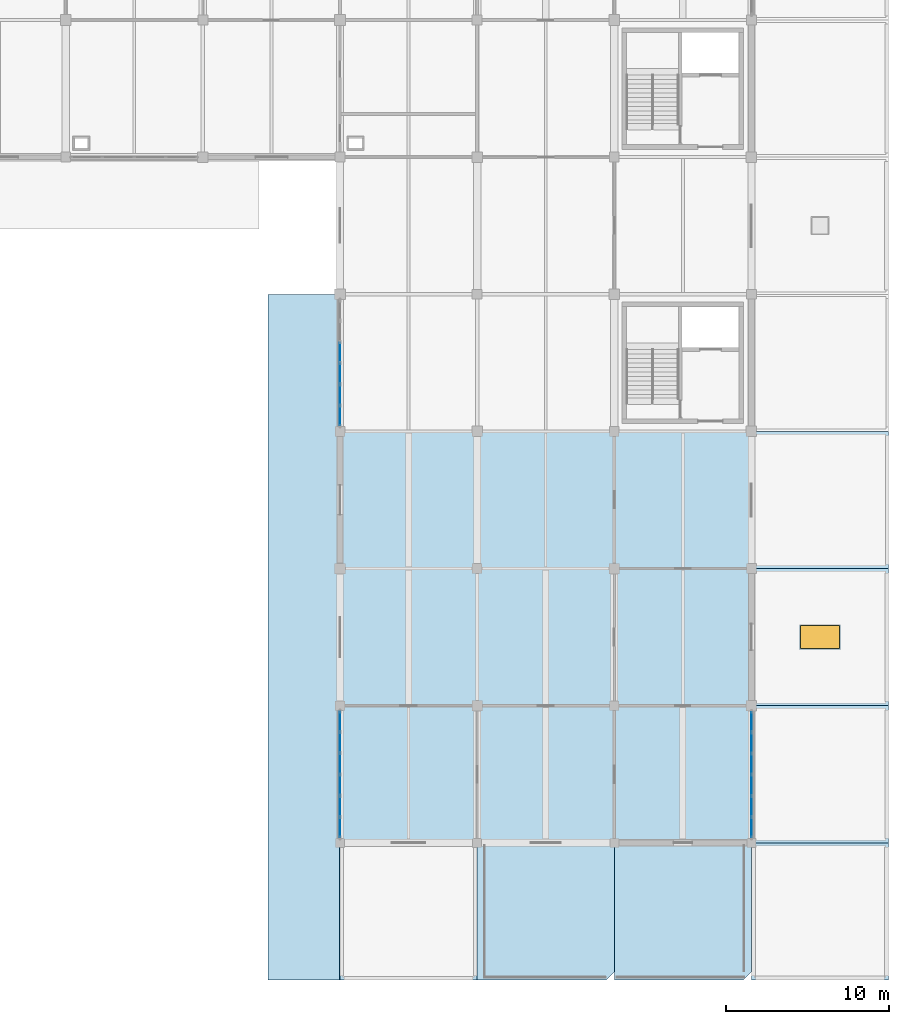
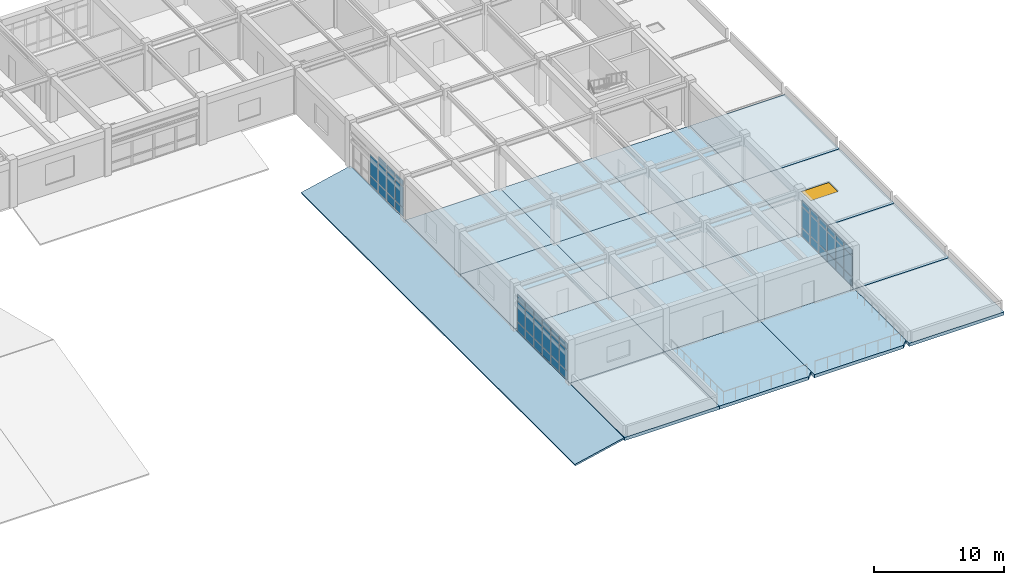
# One storey, part 54 of 78: 47 plates, 17 slabs, 1 window, 1 opening, 3 elements without a shape of their own.
"""IFC4 building model written with IfcOpenShell, lengths in metres."""

from ifc_helpers import new_model, si_unit, direction, frame, origin, origin_2d, place, context, subcontext, project, spatial, polyline, rectangle, outline, extrude, material, layer, layer_set, type_object, element, fill, aggregate, save


model = new_model("IFC4")

# Units and contexts
model_context = context("Model", 3, precision=1e-05, world=origin(), true_north=direction((0.0, 1.0)))
body_context = subcontext(model_context, "Body", "Model", "MODEL_VIEW")
ifc_project = project(units=[si_unit("LENGTHUNIT", "METRE"), si_unit("AREAUNIT", "SQUARE_METRE"), si_unit("VOLUMEUNIT", "CUBIC_METRE"), si_unit("PLANEANGLEUNIT", "RADIAN"), si_unit("MASSUNIT", "GRAM", prefix="KILO")], contexts=[model_context])

# Site, building, storey
site_placement = place(None, origin())
site = spatial("IfcSite", under=ifc_project, at=site_placement, CompositionType="ELEMENT")
building_placement = place(site_placement, origin())
building = spatial("IfcBuilding", under=site, at=building_placement, Name="Porcellanite Civic Hall", CompositionType="ELEMENT")
storey_placement = place(building_placement, frame((0.0, 0.0, 10.260009765625)))
storey = spatial("IfcBuildingStorey", under=building, at=storey_placement, Name="L02", CompositionType="ELEMENT", Elevation=10.260009765625)

# Curtain wall, plates
ifc_material_1 = material(Name="Anodised aluminium and solar laminated glass", Category="aluminium")
ifc_layer_1 = layer(ifc_material_1, 0.179931640625)
ifc_layer_set_1 = layer_set([ifc_layer_1], Name="Anodised aluminium and solar laminated glass")
curtain_wall_type = type_object("IfcCurtainWallType", Name="CW-SYS02", PredefinedType="NOTDEFINED", material=ifc_layer_set_1)
curtain_wall_1_placement = place(storey_placement, origin())
curtain_wall_1 = element("IfcCurtainWall", 1, at=curtain_wall_1_placement, inside=storey, type_object=curtain_wall_type, Name="Curtain wall CW-174", PredefinedType="NOTDEFINED")
ifc_material_2 = material(Name="Cyclone laminated solar-control low-E glass", Category="glass")
ifc_layer_2 = layer(ifc_material_2, 0.02587890625)
ifc_layer_set_2 = layer_set([ifc_layer_2], Name="Cyclone laminated solar-control low-E glass")
plate_type = type_object("IfcPlateType", Name="CWP-02", PredefinedType="CURTAIN_PANEL", material=ifc_layer_set_2)
plate_1_placement = place(storey_placement, frame((142.800048828125, 9.3466796875, 0.06494140625), z_axis=(0.0, 0.0, 1.0), x_axis=(0.0, 1.0, 0.0)))
plate_1 = element("IfcPlate", 2, at=plate_1_placement, type_object=plate_type, Name="CW-174 panel 1.1", PredefinedType="CURTAIN_PANEL", context=body_context, shape_type="SweptSolid", body=[
    extrude(rectangle(XDim=1.19140625, YDim=0.02587890625, at=origin_2d()), origin(), (0.0, 0.0, 1.0), 0.802490234375),
])
plate_2_placement = place(storey_placement, frame((142.800048828125, 9.3466796875, 0.9326171875), z_axis=(0.0, 0.0, 1.0), x_axis=(0.0, 1.0, 0.0)))
plate_2 = element("IfcPlate", 3, at=plate_2_placement, type_object=plate_type, Name="CW-174 panel 1.2", PredefinedType="CURTAIN_PANEL", context=body_context, shape_type="SweptSolid", body=[
    extrude(rectangle(XDim=1.19140625, YDim=0.02587890625, at=origin_2d()), origin(), (0.0, 0.0, 1.0), 1.925048828125),
])
plate_3_placement = place(storey_placement, frame((142.800048828125, 9.3466796875, 2.92236328125), z_axis=(0.0, 0.0, 1.0), x_axis=(0.0, 1.0, 0.0)))
plate_3 = element("IfcPlate", 4, at=plate_3_placement, type_object=plate_type, Name="CW-174 panel 1.3", PredefinedType="CURTAIN_PANEL", context=body_context, shape_type="SweptSolid", body=[
    extrude(rectangle(XDim=1.19140625, YDim=0.02587890625, at=origin_2d()), origin(), (0.0, 0.0, 1.0), 0.552490234375),
])
plate_4_placement = place(storey_placement, frame((142.800048828125, 10.6318359375, 0.06494140625), z_axis=(0.0, 0.0, 1.0), x_axis=(0.0, 1.0, 0.0)))
plate_4 = element("IfcPlate", 5, at=plate_4_placement, type_object=plate_type, Name="CW-174 panel 2.1", PredefinedType="CURTAIN_PANEL", context=body_context, shape_type="SweptSolid", body=[
    extrude(rectangle(XDim=1.228759765625, YDim=0.02587890625, at=origin_2d()), origin(), (0.0, 0.0, 1.0), 0.802490234375),
])
plate_5_placement = place(storey_placement, frame((142.800048828125, 10.6318359375, 0.9326171875), z_axis=(0.0, 0.0, 1.0), x_axis=(0.0, 1.0, 0.0)))
plate_5 = element("IfcPlate", 6, at=plate_5_placement, type_object=plate_type, Name="CW-174 panel 2.2", PredefinedType="CURTAIN_PANEL", context=body_context, shape_type="SweptSolid", body=[
    extrude(rectangle(XDim=1.228759765625, YDim=0.02587890625, at=origin_2d()), origin(), (0.0, 0.0, 1.0), 1.925048828125),
])
plate_6_placement = place(storey_placement, frame((142.800048828125, 10.6318359375, 2.92236328125), z_axis=(0.0, 0.0, 1.0), x_axis=(0.0, 1.0, 0.0)))
plate_6 = element("IfcPlate", 7, at=plate_6_placement, type_object=plate_type, Name="CW-174 panel 2.3", PredefinedType="CURTAIN_PANEL", context=body_context, shape_type="SweptSolid", body=[
    extrude(rectangle(XDim=1.228759765625, YDim=0.02587890625, at=origin_2d()), origin(), (0.0, 0.0, 1.0), 0.552490234375),
])
plate_7_placement = place(storey_placement, frame((142.800048828125, 11.935546875, 0.06494140625), z_axis=(0.0, 0.0, 1.0), x_axis=(0.0, 1.0, 0.0)))
plate_7 = element("IfcPlate", 8, at=plate_7_placement, type_object=plate_type, Name="CW-174 panel 3.1", PredefinedType="CURTAIN_PANEL", context=body_context, shape_type="SweptSolid", body=[
    extrude(rectangle(XDim=1.228759765625, YDim=0.02587890625, at=origin_2d()), origin(), (0.0, 0.0, 1.0), 0.802490234375),
])
plate_8_placement = place(storey_placement, frame((142.800048828125, 11.935546875, 0.9326171875), z_axis=(0.0, 0.0, 1.0), x_axis=(0.0, 1.0, 0.0)))
plate_8 = element("IfcPlate", 9, at=plate_8_placement, type_object=plate_type, Name="CW-174 panel 3.2", PredefinedType="CURTAIN_PANEL", context=body_context, shape_type="SweptSolid", body=[
    extrude(rectangle(XDim=1.228759765625, YDim=0.02587890625, at=origin_2d()), origin(), (0.0, 0.0, 1.0), 1.925048828125),
])
plate_9_placement = place(storey_placement, frame((142.800048828125, 11.935546875, 2.92236328125), z_axis=(0.0, 0.0, 1.0), x_axis=(0.0, 1.0, 0.0)))
plate_9 = element("IfcPlate", 10, at=plate_9_placement, type_object=plate_type, Name="CW-174 panel 3.3", PredefinedType="CURTAIN_PANEL", context=body_context, shape_type="SweptSolid", body=[
    extrude(rectangle(XDim=1.228759765625, YDim=0.02587890625, at=origin_2d()), origin(), (0.0, 0.0, 1.0), 0.552490234375),
])
plate_10_placement = place(storey_placement, frame((142.800048828125, 13.239501953125, 0.06494140625), z_axis=(0.0, 0.0, 1.0), x_axis=(0.0, 1.0, 0.0)))
plate_10 = element("IfcPlate", 11, at=plate_10_placement, type_object=plate_type, Name="CW-174 panel 4.1", PredefinedType="CURTAIN_PANEL", context=body_context, shape_type="SweptSolid", body=[
    extrude(rectangle(XDim=1.228759765625, YDim=0.02587890625, at=origin_2d()), origin(), (0.0, 0.0, 1.0), 0.802490234375),
])
plate_11_placement = place(storey_placement, frame((142.800048828125, 13.239501953125, 0.9326171875), z_axis=(0.0, 0.0, 1.0), x_axis=(0.0, 1.0, 0.0)))
plate_11 = element("IfcPlate", 12, at=plate_11_placement, type_object=plate_type, Name="CW-174 panel 4.2", PredefinedType="CURTAIN_PANEL", context=body_context, shape_type="SweptSolid", body=[
    extrude(rectangle(XDim=1.228759765625, YDim=0.02587890625, at=origin_2d()), origin(), (0.0, 0.0, 1.0), 1.925048828125),
])
plate_12_placement = place(storey_placement, frame((142.800048828125, 13.239501953125, 2.92236328125), z_axis=(0.0, 0.0, 1.0), x_axis=(0.0, 1.0, 0.0)))
plate_12 = element("IfcPlate", 13, at=plate_12_placement, type_object=plate_type, Name="CW-174 panel 4.3", PredefinedType="CURTAIN_PANEL", context=body_context, shape_type="SweptSolid", body=[
    extrude(rectangle(XDim=1.228759765625, YDim=0.02587890625, at=origin_2d()), origin(), (0.0, 0.0, 1.0), 0.552490234375),
])
plate_13_placement = place(storey_placement, frame((142.800048828125, 14.543212890625, 0.06494140625), z_axis=(0.0, 0.0, 1.0), x_axis=(0.0, 1.0, 0.0)))
plate_13 = element("IfcPlate", 14, at=plate_13_placement, type_object=plate_type, Name="CW-174 panel 5.1", PredefinedType="CURTAIN_PANEL", context=body_context, shape_type="SweptSolid", body=[
    extrude(rectangle(XDim=1.228759765625, YDim=0.02587890625, at=origin_2d()), origin(), (0.0, 0.0, 1.0), 0.802490234375),
])
plate_14_placement = place(storey_placement, frame((142.800048828125, 14.543212890625, 0.9326171875), z_axis=(0.0, 0.0, 1.0), x_axis=(0.0, 1.0, 0.0)))
plate_14 = element("IfcPlate", 15, at=plate_14_placement, type_object=plate_type, Name="CW-174 panel 5.2", PredefinedType="CURTAIN_PANEL", context=body_context, shape_type="SweptSolid", body=[
    extrude(rectangle(XDim=1.228759765625, YDim=0.02587890625, at=origin_2d()), origin(), (0.0, 0.0, 1.0), 1.925048828125),
])
plate_15_placement = place(storey_placement, frame((142.800048828125, 14.543212890625, 2.92236328125), z_axis=(0.0, 0.0, 1.0), x_axis=(0.0, 1.0, 0.0)))
plate_15 = element("IfcPlate", 16, at=plate_15_placement, type_object=plate_type, Name="CW-174 panel 5.3", PredefinedType="CURTAIN_PANEL", context=body_context, shape_type="SweptSolid", body=[
    extrude(rectangle(XDim=1.228759765625, YDim=0.02587890625, at=origin_2d()), origin(), (0.0, 0.0, 1.0), 0.552490234375),
])
plate_16_placement = place(storey_placement, frame((142.800048828125, 15.828369140625, 0.06494140625), z_axis=(0.0, 0.0, 1.0), x_axis=(0.0, 1.0, 0.0)))
plate_16 = element("IfcPlate", 17, at=plate_16_placement, type_object=plate_type, Name="CW-174 panel 6.1", PredefinedType="CURTAIN_PANEL", context=body_context, shape_type="SweptSolid", body=[
    extrude(rectangle(XDim=1.19140625, YDim=0.02587890625, at=origin_2d()), origin(), (0.0, 0.0, 1.0), 0.802490234375),
])
plate_17_placement = place(storey_placement, frame((142.800048828125, 15.828369140625, 0.9326171875), z_axis=(0.0, 0.0, 1.0), x_axis=(0.0, 1.0, 0.0)))
plate_17 = element("IfcPlate", 18, at=plate_17_placement, type_object=plate_type, Name="CW-174 panel 6.2", PredefinedType="CURTAIN_PANEL", context=body_context, shape_type="SweptSolid", body=[
    extrude(rectangle(XDim=1.19140625, YDim=0.02587890625, at=origin_2d()), origin(), (0.0, 0.0, 1.0), 1.925048828125),
])
plate_18_placement = place(storey_placement, frame((142.800048828125, 15.828369140625, 2.92236328125), z_axis=(0.0, 0.0, 1.0), x_axis=(0.0, 1.0, 0.0)))
plate_18 = element("IfcPlate", 19, at=plate_18_placement, type_object=plate_type, Name="CW-174 panel 6.3", PredefinedType="CURTAIN_PANEL", context=body_context, shape_type="SweptSolid", body=[
    extrude(rectangle(XDim=1.19140625, YDim=0.02587890625, at=origin_2d()), origin(), (0.0, 0.0, 1.0), 0.552490234375),
])
aggregate(curtain_wall_1, [plate_1, plate_2, plate_3, plate_4, plate_5, plate_6, plate_7, plate_8, plate_9, plate_10, plate_11, plate_12, plate_13, plate_14, plate_15, plate_16, plate_17, plate_18])

curtain_wall_2_placement = place(storey_placement, origin())
curtain_wall_2 = element("IfcCurtainWall", 20, at=curtain_wall_2_placement, inside=storey, type_object=curtain_wall_type, Name="Curtain wall CW-175", PredefinedType="NOTDEFINED")
plate_19_placement = place(storey_placement, frame((142.800048828125, 34.5673828125, 0.06494140625), z_axis=(0.0, 0.0, 1.0), x_axis=(0.0, 1.0, 0.0)))
plate_19 = element("IfcPlate", 21, at=plate_19_placement, type_object=plate_type, Name="CW-175 panel 1.1", PredefinedType="CURTAIN_PANEL", context=body_context, shape_type="SweptSolid", body=[
    extrude(rectangle(XDim=1.18310546875, YDim=0.02587890625, at=origin_2d()), origin(), (0.0, 0.0, 1.0), 0.802490234375),
])
plate_20_placement = place(storey_placement, frame((142.800048828125, 34.5673828125, 0.9326171875), z_axis=(0.0, 0.0, 1.0), x_axis=(0.0, 1.0, 0.0)))
plate_20 = element("IfcPlate", 22, at=plate_20_placement, type_object=plate_type, Name="CW-175 panel 1.2", PredefinedType="CURTAIN_PANEL", context=body_context, shape_type="SweptSolid", body=[
    extrude(rectangle(XDim=1.18310546875, YDim=0.02587890625, at=origin_2d()), origin(), (0.0, 0.0, 1.0), 1.925048828125),
])
plate_21_placement = place(storey_placement, frame((142.800048828125, 34.5673828125, 2.92236328125), z_axis=(0.0, 0.0, 1.0), x_axis=(0.0, 1.0, 0.0)))
plate_21 = element("IfcPlate", 23, at=plate_21_placement, type_object=plate_type, Name="CW-175 panel 1.3", PredefinedType="CURTAIN_PANEL", context=body_context, shape_type="SweptSolid", body=[
    extrude(rectangle(XDim=1.18310546875, YDim=0.02587890625, at=origin_2d()), origin(), (0.0, 0.0, 1.0), 0.552490234375),
])
plate_22_placement = place(storey_placement, frame((142.800048828125, 35.84423828125, 0.06494140625), z_axis=(0.0, 0.0, 1.0), x_axis=(0.0, 1.0, 0.0)))
plate_22 = element("IfcPlate", 24, at=plate_22_placement, type_object=plate_type, Name="CW-175 panel 2.1", PredefinedType="CURTAIN_PANEL", context=body_context, shape_type="SweptSolid", body=[
    extrude(rectangle(XDim=1.220458984375, YDim=0.02587890625, at=origin_2d()), origin(), (0.0, 0.0, 1.0), 0.802490234375),
])
plate_23_placement = place(storey_placement, frame((142.800048828125, 35.84423828125, 0.9326171875), z_axis=(0.0, 0.0, 1.0), x_axis=(0.0, 1.0, 0.0)))
plate_23 = element("IfcPlate", 25, at=plate_23_placement, type_object=plate_type, Name="CW-175 panel 2.2", PredefinedType="CURTAIN_PANEL", context=body_context, shape_type="SweptSolid", body=[
    extrude(rectangle(XDim=1.220458984375, YDim=0.02587890625, at=origin_2d()), origin(), (0.0, 0.0, 1.0), 1.925048828125),
])
plate_24_placement = place(storey_placement, frame((142.800048828125, 35.84423828125, 2.92236328125), z_axis=(0.0, 0.0, 1.0), x_axis=(0.0, 1.0, 0.0)))
plate_24 = element("IfcPlate", 26, at=plate_24_placement, type_object=plate_type, Name="CW-175 panel 2.3", PredefinedType="CURTAIN_PANEL", context=body_context, shape_type="SweptSolid", body=[
    extrude(rectangle(XDim=1.220458984375, YDim=0.02587890625, at=origin_2d()), origin(), (0.0, 0.0, 1.0), 0.552490234375),
])
plate_25_placement = place(storey_placement, frame((142.800048828125, 37.1396484375, 0.06494140625), z_axis=(0.0, 0.0, 1.0), x_axis=(0.0, 1.0, 0.0)))
plate_25 = element("IfcPlate", 27, at=plate_25_placement, type_object=plate_type, Name="CW-175 panel 3.1", PredefinedType="CURTAIN_PANEL", context=body_context, shape_type="SweptSolid", body=[
    extrude(rectangle(XDim=1.220458984375, YDim=0.02587890625, at=origin_2d()), origin(), (0.0, 0.0, 1.0), 0.802490234375),
])
plate_26_placement = place(storey_placement, frame((142.800048828125, 37.1396484375, 0.9326171875), z_axis=(0.0, 0.0, 1.0), x_axis=(0.0, 1.0, 0.0)))
plate_26 = element("IfcPlate", 28, at=plate_26_placement, type_object=plate_type, Name="CW-175 panel 3.2", PredefinedType="CURTAIN_PANEL", context=body_context, shape_type="SweptSolid", body=[
    extrude(rectangle(XDim=1.220458984375, YDim=0.02587890625, at=origin_2d()), origin(), (0.0, 0.0, 1.0), 1.925048828125),
])
plate_27_placement = place(storey_placement, frame((142.800048828125, 37.1396484375, 2.92236328125), z_axis=(0.0, 0.0, 1.0), x_axis=(0.0, 1.0, 0.0)))
plate_27 = element("IfcPlate", 29, at=plate_27_placement, type_object=plate_type, Name="CW-175 panel 3.3", PredefinedType="CURTAIN_PANEL", context=body_context, shape_type="SweptSolid", body=[
    extrude(rectangle(XDim=1.220458984375, YDim=0.02587890625, at=origin_2d()), origin(), (0.0, 0.0, 1.0), 0.552490234375),
])
plate_28_placement = place(storey_placement, frame((142.800048828125, 38.435302734375, 0.06494140625), z_axis=(0.0, 0.0, 1.0), x_axis=(0.0, 1.0, 0.0)))
plate_28 = element("IfcPlate", 30, at=plate_28_placement, type_object=plate_type, Name="CW-175 panel 4.1", PredefinedType="CURTAIN_PANEL", context=body_context, shape_type="SweptSolid", body=[
    extrude(rectangle(XDim=1.220458984375, YDim=0.02587890625, at=origin_2d()), origin(), (0.0, 0.0, 1.0), 0.802490234375),
])
plate_29_placement = place(storey_placement, frame((142.800048828125, 38.435302734375, 0.9326171875), z_axis=(0.0, 0.0, 1.0), x_axis=(0.0, 1.0, 0.0)))
plate_29 = element("IfcPlate", 31, at=plate_29_placement, type_object=plate_type, Name="CW-175 panel 4.2", PredefinedType="CURTAIN_PANEL", context=body_context, shape_type="SweptSolid", body=[
    extrude(rectangle(XDim=1.220458984375, YDim=0.02587890625, at=origin_2d()), origin(), (0.0, 0.0, 1.0), 1.925048828125),
])
aggregate(curtain_wall_2, [plate_19, plate_20, plate_21, plate_22, plate_23, plate_24, plate_25, plate_26, plate_27, plate_28, plate_29])

curtain_wall_3_placement = place(storey_placement, origin())
curtain_wall_3 = element("IfcCurtainWall", 32, at=curtain_wall_3_placement, inside=storey, type_object=curtain_wall_type, Name="Curtain wall CW-181", PredefinedType="NOTDEFINED")
plate_30_placement = place(storey_placement, frame((168.0, 15.805419921875, 0.06494140625), z_axis=(0.0, 0.0, 1.0), x_axis=(0.0, -1.0, 0.0)))
plate_30 = element("IfcPlate", 33, at=plate_30_placement, type_object=plate_type, Name="CW-181 panel 1.1", PredefinedType="CURTAIN_PANEL", context=body_context, shape_type="SweptSolid", body=[
    extrude(rectangle(XDim=1.187255859375, YDim=0.02587890625, at=origin_2d()), origin(), (0.0, 0.0, 1.0), 0.802490234375),
])
plate_31_placement = place(storey_placement, frame((168.0, 15.805419921875, 0.9326171875), z_axis=(0.0, 0.0, 1.0), x_axis=(0.0, -1.0, 0.0)))
plate_31 = element("IfcPlate", 34, at=plate_31_placement, type_object=plate_type, Name="CW-181 panel 1.2", PredefinedType="CURTAIN_PANEL", context=body_context, shape_type="SweptSolid", body=[
    extrude(rectangle(XDim=1.187255859375, YDim=0.02587890625, at=origin_2d()), origin(), (0.0, 0.0, 1.0), 1.925048828125),
])
plate_32_placement = place(storey_placement, frame((168.0, 15.805419921875, 2.92236328125), z_axis=(0.0, 0.0, 1.0), x_axis=(0.0, -1.0, 0.0)))
plate_32 = element("IfcPlate", 35, at=plate_32_placement, type_object=plate_type, Name="CW-181 panel 1.3", PredefinedType="CURTAIN_PANEL", context=body_context, shape_type="SweptSolid", body=[
    extrude(rectangle(XDim=1.187255859375, YDim=0.02587890625, at=origin_2d()), origin(), (0.0, 0.0, 1.0), 0.552490234375),
])
plate_33_placement = place(storey_placement, frame((168.0, 14.5244140625, 0.06494140625), z_axis=(0.0, 0.0, 1.0), x_axis=(0.0, -1.0, 0.0)))
plate_33 = element("IfcPlate", 36, at=plate_33_placement, type_object=plate_type, Name="CW-181 panel 2.1", PredefinedType="CURTAIN_PANEL", context=body_context, shape_type="SweptSolid", body=[
    extrude(rectangle(XDim=1.224609375, YDim=0.02587890625, at=origin_2d()), origin(), (0.0, 0.0, 1.0), 0.802490234375),
])
plate_34_placement = place(storey_placement, frame((168.0, 14.5244140625, 0.9326171875), z_axis=(0.0, 0.0, 1.0), x_axis=(0.0, -1.0, 0.0)))
plate_34 = element("IfcPlate", 37, at=plate_34_placement, type_object=plate_type, Name="CW-181 panel 2.2", PredefinedType="CURTAIN_PANEL", context=body_context, shape_type="SweptSolid", body=[
    extrude(rectangle(XDim=1.224609375, YDim=0.02587890625, at=origin_2d()), origin(), (0.0, 0.0, 1.0), 1.925048828125),
])
plate_35_placement = place(storey_placement, frame((168.0, 14.5244140625, 2.92236328125), z_axis=(0.0, 0.0, 1.0), x_axis=(0.0, -1.0, 0.0)))
plate_35 = element("IfcPlate", 38, at=plate_35_placement, type_object=plate_type, Name="CW-181 panel 2.3", PredefinedType="CURTAIN_PANEL", context=body_context, shape_type="SweptSolid", body=[
    extrude(rectangle(XDim=1.224609375, YDim=0.02587890625, at=origin_2d()), origin(), (0.0, 0.0, 1.0), 0.552490234375),
])
plate_36_placement = place(storey_placement, frame((168.0, 13.224853515625, 0.06494140625), z_axis=(0.0, 0.0, 1.0), x_axis=(0.0, -1.0, 0.0)))
plate_36 = element("IfcPlate", 39, at=plate_36_placement, type_object=plate_type, Name="CW-181 panel 3.1", PredefinedType="CURTAIN_PANEL", context=body_context, shape_type="SweptSolid", body=[
    extrude(rectangle(XDim=1.224609375, YDim=0.02587890625, at=origin_2d()), origin(), (0.0, 0.0, 1.0), 0.802490234375),
])
plate_37_placement = place(storey_placement, frame((168.0, 13.224853515625, 0.9326171875), z_axis=(0.0, 0.0, 1.0), x_axis=(0.0, -1.0, 0.0)))
plate_37 = element("IfcPlate", 40, at=plate_37_placement, type_object=plate_type, Name="CW-181 panel 3.2", PredefinedType="CURTAIN_PANEL", context=body_context, shape_type="SweptSolid", body=[
    extrude(rectangle(XDim=1.224609375, YDim=0.02587890625, at=origin_2d()), origin(), (0.0, 0.0, 1.0), 1.925048828125),
])
plate_38_placement = place(storey_placement, frame((168.0, 13.224853515625, 2.92236328125), z_axis=(0.0, 0.0, 1.0), x_axis=(0.0, -1.0, 0.0)))
plate_38 = element("IfcPlate", 41, at=plate_38_placement, type_object=plate_type, Name="CW-181 panel 3.3", PredefinedType="CURTAIN_PANEL", context=body_context, shape_type="SweptSolid", body=[
    extrude(rectangle(XDim=1.224609375, YDim=0.02587890625, at=origin_2d()), origin(), (0.0, 0.0, 1.0), 0.552490234375),
])
plate_39_placement = place(storey_placement, frame((168.0, 11.925048828125, 0.06494140625), z_axis=(0.0, 0.0, 1.0), x_axis=(0.0, -1.0, 0.0)))
plate_39 = element("IfcPlate", 42, at=plate_39_placement, type_object=plate_type, Name="CW-181 panel 4.1", PredefinedType="CURTAIN_PANEL", context=body_context, shape_type="SweptSolid", body=[
    extrude(rectangle(XDim=1.224609375, YDim=0.02587890625, at=origin_2d()), origin(), (0.0, 0.0, 1.0), 0.802490234375),
])
plate_40_placement = place(storey_placement, frame((168.0, 11.925048828125, 0.9326171875), z_axis=(0.0, 0.0, 1.0), x_axis=(0.0, -1.0, 0.0)))
plate_40 = element("IfcPlate", 43, at=plate_40_placement, type_object=plate_type, Name="CW-181 panel 4.2", PredefinedType="CURTAIN_PANEL", context=body_context, shape_type="SweptSolid", body=[
    extrude(rectangle(XDim=1.224609375, YDim=0.02587890625, at=origin_2d()), origin(), (0.0, 0.0, 1.0), 1.925048828125),
])
plate_41_placement = place(storey_placement, frame((168.0, 11.925048828125, 2.92236328125), z_axis=(0.0, 0.0, 1.0), x_axis=(0.0, -1.0, 0.0)))
plate_41 = element("IfcPlate", 44, at=plate_41_placement, type_object=plate_type, Name="CW-181 panel 4.3", PredefinedType="CURTAIN_PANEL", context=body_context, shape_type="SweptSolid", body=[
    extrude(rectangle(XDim=1.224609375, YDim=0.02587890625, at=origin_2d()), origin(), (0.0, 0.0, 1.0), 0.552490234375),
])
plate_42_placement = place(storey_placement, frame((168.0, 10.62548828125, 0.06494140625), z_axis=(0.0, 0.0, 1.0), x_axis=(0.0, -1.0, 0.0)))
plate_42 = element("IfcPlate", 45, at=plate_42_placement, type_object=plate_type, Name="CW-181 panel 5.1", PredefinedType="CURTAIN_PANEL", context=body_context, shape_type="SweptSolid", body=[
    extrude(rectangle(XDim=1.224609375, YDim=0.02587890625, at=origin_2d()), origin(), (0.0, 0.0, 1.0), 0.802490234375),
])
plate_43_placement = place(storey_placement, frame((168.0, 10.62548828125, 0.9326171875), z_axis=(0.0, 0.0, 1.0), x_axis=(0.0, -1.0, 0.0)))
plate_43 = element("IfcPlate", 46, at=plate_43_placement, type_object=plate_type, Name="CW-181 panel 5.2", PredefinedType="CURTAIN_PANEL", context=body_context, shape_type="SweptSolid", body=[
    extrude(rectangle(XDim=1.224609375, YDim=0.02587890625, at=origin_2d()), origin(), (0.0, 0.0, 1.0), 1.925048828125),
])
plate_44_placement = place(storey_placement, frame((168.0, 10.62548828125, 2.92236328125), z_axis=(0.0, 0.0, 1.0), x_axis=(0.0, -1.0, 0.0)))
plate_44 = element("IfcPlate", 47, at=plate_44_placement, type_object=plate_type, Name="CW-181 panel 5.3", PredefinedType="CURTAIN_PANEL", context=body_context, shape_type="SweptSolid", body=[
    extrude(rectangle(XDim=1.224609375, YDim=0.02587890625, at=origin_2d()), origin(), (0.0, 0.0, 1.0), 0.552490234375),
])
plate_45_placement = place(storey_placement, frame((168.0, 9.344482421875, 0.06494140625), z_axis=(0.0, 0.0, 1.0), x_axis=(0.0, -1.0, 0.0)))
plate_45 = element("IfcPlate", 48, at=plate_45_placement, type_object=plate_type, Name="CW-181 panel 6.1", PredefinedType="CURTAIN_PANEL", context=body_context, shape_type="SweptSolid", body=[
    extrude(rectangle(XDim=1.187255859375, YDim=0.02587890625, at=origin_2d()), origin(), (0.0, 0.0, 1.0), 0.802490234375),
])
plate_46_placement = place(storey_placement, frame((168.0, 9.344482421875, 0.9326171875), z_axis=(0.0, 0.0, 1.0), x_axis=(0.0, -1.0, 0.0)))
plate_46 = element("IfcPlate", 49, at=plate_46_placement, type_object=plate_type, Name="CW-181 panel 6.2", PredefinedType="CURTAIN_PANEL", context=body_context, shape_type="SweptSolid", body=[
    extrude(rectangle(XDim=1.187255859375, YDim=0.02587890625, at=origin_2d()), origin(), (0.0, 0.0, 1.0), 1.925048828125),
])
plate_47_placement = place(storey_placement, frame((168.0, 9.344482421875, 2.92236328125), z_axis=(0.0, 0.0, 1.0), x_axis=(0.0, -1.0, 0.0)))
plate_47 = element("IfcPlate", 50, at=plate_47_placement, type_object=plate_type, Name="CW-181 panel 6.3", PredefinedType="CURTAIN_PANEL", context=body_context, shape_type="SweptSolid", body=[
    extrude(rectangle(XDim=1.187255859375, YDim=0.02587890625, at=origin_2d()), origin(), (0.0, 0.0, 1.0), 0.552490234375),
])
aggregate(curtain_wall_3, [plate_30, plate_31, plate_32, plate_33, plate_34, plate_35, plate_36, plate_37, plate_38, plate_39, plate_40, plate_41, plate_42, plate_43, plate_44, plate_45, plate_46, plate_47])

# Slabs
ifc_material_3 = material(Name="Concrete N40 (40 MPa)", Category="concrete")
ifc_layer_3 = layer(ifc_material_3, 0.280029296875)
ifc_layer_set_3 = layer_set([ifc_layer_3], Name="Concrete N40 (40 MPa)")
slab_type_1 = type_object("IfcSlabType", Name="SL-FL280", PredefinedType="FLOOR", material=ifc_layer_set_3)
slab_1_placement = place(storey_placement, frame((0.0, 0.0, -0.280029296875)))
element("IfcSlab", 51, at=slab_1_placement, inside=storey, type_object=slab_type_1, Name="Slab L02 bay 18-2", PredefinedType="FLOOR", context=body_context, shape_type="SweptSolid", body=[
    extrude(outline(polyline([(142.800048828125, 8.39990234375), (151.199951171875, 8.39990234375), (151.199951171875, 16.800048828125), (142.800048828125, 16.800048828125), (142.800048828125, 8.39990234375)])), origin(), (0.0, 0.0, 1.0), 0.280029296875),
])
slab_2_placement = place(storey_placement, frame((0.0, 0.0, -0.280029296875)))
element("IfcSlab", 52, at=slab_2_placement, inside=storey, type_object=slab_type_1, Name="Slab L02 bay 18-3", PredefinedType="FLOOR", context=body_context, shape_type="SweptSolid", body=[
    extrude(outline(polyline([(142.800048828125, 16.800048828125), (151.199951171875, 16.800048828125), (151.199951171875, 25.199951171875), (142.800048828125, 25.199951171875), (142.800048828125, 16.800048828125)])), origin(), (0.0, 0.0, 1.0), 0.280029296875),
])
slab_3_placement = place(storey_placement, frame((0.0, 0.0, -0.280029296875)))
element("IfcSlab", 53, at=slab_3_placement, inside=storey, type_object=slab_type_1, Name="Slab L02 bay 18-4", PredefinedType="FLOOR", context=body_context, shape_type="SweptSolid", body=[
    extrude(outline(polyline([(142.800048828125, 25.199951171875), (151.199951171875, 25.199951171875), (151.199951171875, 33.60009765625), (142.800048828125, 33.60009765625), (142.800048828125, 25.199951171875)])), origin(), (0.0, 0.0, 1.0), 0.280029296875),
])
slab_4_placement = place(storey_placement, frame((0.0, 0.0, -0.280029296875)))
element("IfcSlab", 54, at=slab_4_placement, inside=storey, type_object=slab_type_1, Name="Slab L02 bay 19-2", PredefinedType="FLOOR", context=body_context, shape_type="SweptSolid", body=[
    extrude(outline(polyline([(151.199951171875, 8.39990234375), (159.60009765625, 8.39990234375), (159.60009765625, 16.800048828125), (151.199951171875, 16.800048828125), (151.199951171875, 8.39990234375)])), origin(), (0.0, 0.0, 1.0), 0.280029296875),
])
slab_5_placement = place(storey_placement, frame((0.0, 0.0, -0.280029296875)))
element("IfcSlab", 55, at=slab_5_placement, inside=storey, type_object=slab_type_1, Name="Slab L02 bay 19-3", PredefinedType="FLOOR", context=body_context, shape_type="SweptSolid", body=[
    extrude(outline(polyline([(151.199951171875, 16.800048828125), (159.60009765625, 16.800048828125), (159.60009765625, 25.199951171875), (151.199951171875, 25.199951171875), (151.199951171875, 16.800048828125)])), origin(), (0.0, 0.0, 1.0), 0.280029296875),
])
slab_6_placement = place(storey_placement, frame((0.0, 0.0, -0.280029296875)))
element("IfcSlab", 56, at=slab_6_placement, inside=storey, type_object=slab_type_1, Name="Slab L02 bay 19-4", PredefinedType="FLOOR", context=body_context, shape_type="SweptSolid", body=[
    extrude(outline(polyline([(151.199951171875, 25.199951171875), (159.60009765625, 25.199951171875), (159.60009765625, 33.60009765625), (151.199951171875, 33.60009765625), (151.199951171875, 25.199951171875)])), origin(), (0.0, 0.0, 1.0), 0.280029296875),
])
slab_7_placement = place(storey_placement, frame((0.0, 0.0, -0.280029296875)))
element("IfcSlab", 57, at=slab_7_placement, inside=storey, type_object=slab_type_1, Name="Slab L02 bay 20-2", PredefinedType="FLOOR", context=body_context, shape_type="SweptSolid", body=[
    extrude(outline(polyline([(159.60009765625, 8.39990234375), (168.0, 8.39990234375), (168.0, 16.800048828125), (159.60009765625, 16.800048828125), (159.60009765625, 8.39990234375)])), origin(), (0.0, 0.0, 1.0), 0.280029296875),
])
slab_8_placement = place(storey_placement, frame((0.0, 0.0, -0.280029296875)))
element("IfcSlab", 58, at=slab_8_placement, inside=storey, type_object=slab_type_1, Name="Slab L02 bay 20-3", PredefinedType="FLOOR", context=body_context, shape_type="SweptSolid", body=[
    extrude(outline(polyline([(159.60009765625, 16.800048828125), (168.0, 16.800048828125), (168.0, 25.199951171875), (159.60009765625, 25.199951171875), (159.60009765625, 16.800048828125)])), origin(), (0.0, 0.0, 1.0), 0.280029296875),
])
slab_9_placement = place(storey_placement, frame((0.0, 0.0, -0.280029296875)))
element("IfcSlab", 59, at=slab_9_placement, inside=storey, type_object=slab_type_1, Name="Slab L02 bay 20-4", PredefinedType="FLOOR", context=body_context, shape_type="SweptSolid", body=[
    extrude(outline(polyline([(159.60009765625, 25.199951171875), (168.0, 25.199951171875), (168.0, 33.60009765625), (159.60009765625, 33.60009765625), (159.60009765625, 25.199951171875)])), origin(), (0.0, 0.0, 1.0), 0.280029296875),
])
ifc_material_4 = material(Name="Concrete N40 (40 MPa)", Category="concrete")
ifc_layer_4 = layer(ifc_material_4, 0.159912109375)
ifc_layer_set_4 = layer_set([ifc_layer_4], Name="Concrete N40 (40 MPa)")
slab_type_2 = type_object("IfcSlabType", Name="SL-MON160", PredefinedType="ROOF", material=ifc_layer_set_4)
slab_10_placement = place(storey_placement, frame((138.39990234375, 0.0, -0.9755859375), z_axis=(-0.2182604073, 0.0, 0.975890564872), x_axis=(0.975890564872, 0.0, 0.2182604073)))
element("IfcSlab", 60, at=slab_10_placement, inside=storey, type_object=slab_type_2, Name="Square colonnade monsoon roof COL-E", PredefinedType="ROOF", context=body_context, shape_type="SweptSolid", body=[
    extrude(outline(polyline([(0.0, 0.0), (4.469825515168481, 0.0), (4.469825515168481, 42.0), (0.0, 42.0), (0.0, 0.0)])), origin(), (0.0, 0.0, -1.0), 0.159912109375),
])
ifc_material_5 = material(Name="Concrete N40 (40 MPa)", Category="concrete")
ifc_layer_5 = layer(ifc_material_5, 0.300048828125)
ifc_layer_set_5 = layer_set([ifc_layer_5], Name="Concrete N40 (40 MPa)")
slab_type_3 = type_object("IfcSlabType", Name="SL-RF300", PredefinedType="ROOF", material=ifc_layer_set_5)
slab_11_placement = place(storey_placement, frame((0.0, 0.0, -0.300048828125)))
element("IfcSlab", 61, at=slab_11_placement, inside=storey, type_object=slab_type_3, Name="Roof slab L02 18-1", PredefinedType="ROOF", context=body_context, shape_type="SweptSolid", body=[
    extrude(outline(polyline([(142.800048828125, 0.0), (151.199951171875, 0.0), (151.199951171875, 8.39990234375), (142.800048828125, 8.39990234375), (142.800048828125, 0.0)])), origin(), (0.0, 0.0, 1.0), 0.300048828125),
])
slab_12_placement = place(storey_placement, frame((0.0, 0.0, -0.300048828125)))
element("IfcSlab", 62, at=slab_12_placement, inside=storey, type_object=slab_type_3, Name="Roof slab L02 21-1", PredefinedType="ROOF", context=body_context, shape_type="SweptSolid", body=[
    extrude(outline(polyline([(168.0, 0.0), (176.39990234375, 0.0), (176.39990234375, 8.39990234375), (168.0, 8.39990234375), (168.0, 0.0)])), origin(), (0.0, 0.0, 1.0), 0.300048828125),
])
slab_13_placement = place(storey_placement, frame((0.0, 0.0, -0.300048828125)))
element("IfcSlab", 63, at=slab_13_placement, inside=storey, type_object=slab_type_3, Name="Roof slab L02 21-2", PredefinedType="ROOF", context=body_context, shape_type="SweptSolid", body=[
    extrude(outline(polyline([(168.0, 8.39990234375), (176.39990234375, 8.39990234375), (176.39990234375, 16.800048828125), (168.0, 16.800048828125), (168.0, 8.39990234375)])), origin(), (0.0, 0.0, 1.0), 0.300048828125),
])

# Slab, opening, window
slab_14_placement = place(storey_placement, frame((0.0, 0.0, -0.300048828125)))
slab_14 = element("IfcSlab", 64, at=slab_14_placement, inside=storey, type_object=slab_type_3, Name="Roof slab L02 21-3", PredefinedType="ROOF", context=body_context, shape_type="SweptSolid", body=[
    extrude(outline(polyline([(168.0, 16.800048828125), (176.39990234375, 16.800048828125), (176.39990234375, 25.199951171875), (168.0, 25.199951171875), (168.0, 16.800048828125)])), origin(), (0.0, 0.0, 1.0), 0.300048828125),
])
opening_placement = place(slab_14_placement, frame((172.199951171875, 21.0, 0.0)))
opening = element("IfcOpeningElement", 65, at=opening_placement, cuts=slab_14, Name="Opening SK5", PredefinedType="OPENING", context=body_context, shape_type="SweptSolid", body=[
    extrude(rectangle(XDim=2.39990234375, YDim=1.39990234375, at=origin_2d()), origin(), (0.0, 0.0, 1.0), 0.300048828125),
])
ifc_material_6 = material(Name="Cyclone laminated low-E glazing in anodised aluminium frame", Category="aluminium")
window_type = type_object("IfcWindowType", Name="SK-05", PartitioningType="DOUBLE_PANEL_VERTICAL", PredefinedType="SKYLIGHT", material=ifc_material_6)
window_placement = place(opening_placement, frame((0.0, 0.0, 0.25)))
window = element("IfcWindow", 66, at=window_placement, inside=storey, type_object=window_type, Name="Roof skylight SK5 L02 21-3", OverallHeight=1.39990234375, OverallWidth=2.39990234375, PartitioningType="SINGLE_PANEL", PredefinedType="SKYLIGHT", context=body_context, shape_type="SweptSolid", body=[
    extrude(rectangle(XDim=2.39990234375, YDim=1.39990234375, at=origin_2d()), origin(), (0.0, 0.0, 1.0), 0.050048828125),
])
fill(opening, window)

# Slabs
slab_15_placement = place(storey_placement, frame((0.0, 0.0, -0.300048828125)))
element("IfcSlab", 67, at=slab_15_placement, inside=storey, type_object=slab_type_3, Name="Roof slab L02 21-4", PredefinedType="ROOF", context=body_context, shape_type="SweptSolid", body=[
    extrude(outline(polyline([(168.0, 25.199951171875), (176.39990234375, 25.199951171875), (176.39990234375, 33.60009765625), (168.0, 33.60009765625), (168.0, 25.199951171875)])), origin(), (0.0, 0.0, 1.0), 0.300048828125),
])
ifc_material_7 = material(Name="Concrete N40 (40 MPa)", Category="concrete")
ifc_layer_6 = layer(ifc_material_7, 0.300048828125)
ifc_layer_set_6 = layer_set([ifc_layer_6], Name="Concrete N40 (40 MPa)")
slab_type_4 = type_object("IfcSlabType", Name="SL-TER300", PredefinedType="FLOOR", material=ifc_layer_set_6)
slab_16_placement = place(storey_placement, frame((0.0, 0.0, -0.300048828125)))
element("IfcSlab", 68, at=slab_16_placement, inside=storey, type_object=slab_type_4, Name="Civic terrace slab L02 19-1", PredefinedType="FLOOR", context=body_context, shape_type="SweptSolid", body=[
    extrude(outline(polyline([(151.199951171875, 0.0), (159.10009765625, 0.0), (159.60009765625, 0.5), (159.60009765625, 8.39990234375), (151.199951171875, 8.39990234375), (151.199951171875, 0.0)])), origin(), (0.0, 0.0, 1.0), 0.300048828125),
])
slab_17_placement = place(storey_placement, frame((0.0, 0.0, -0.300048828125)))
element("IfcSlab", 69, at=slab_17_placement, inside=storey, type_object=slab_type_4, Name="Civic terrace slab L02 20-1", PredefinedType="FLOOR", context=body_context, shape_type="SweptSolid", body=[
    extrude(outline(polyline([(159.60009765625, 0.0), (167.5, 0.0), (168.0, 0.5), (168.0, 8.39990234375), (159.60009765625, 8.39990234375), (159.60009765625, 0.0)])), origin(), (0.0, 0.0, 1.0), 0.300048828125),
])

save(model, "model.ifc")
